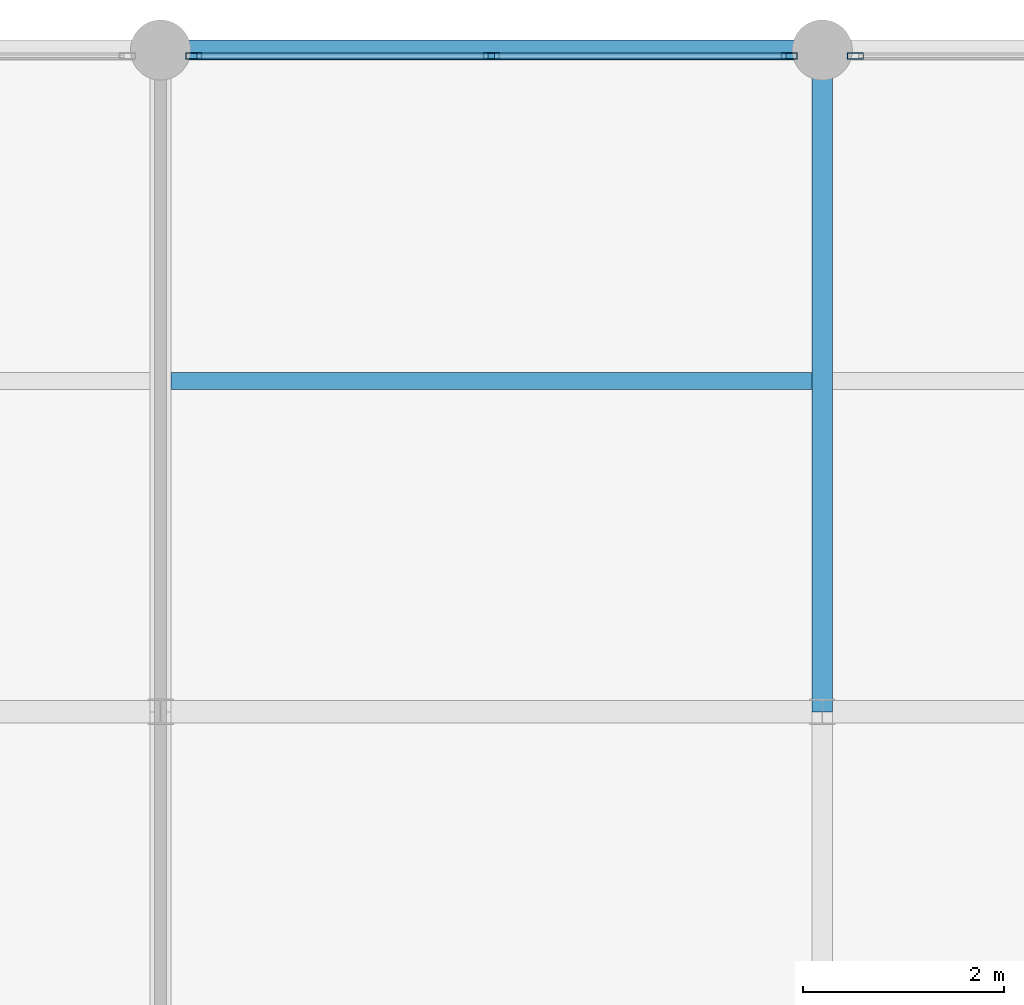
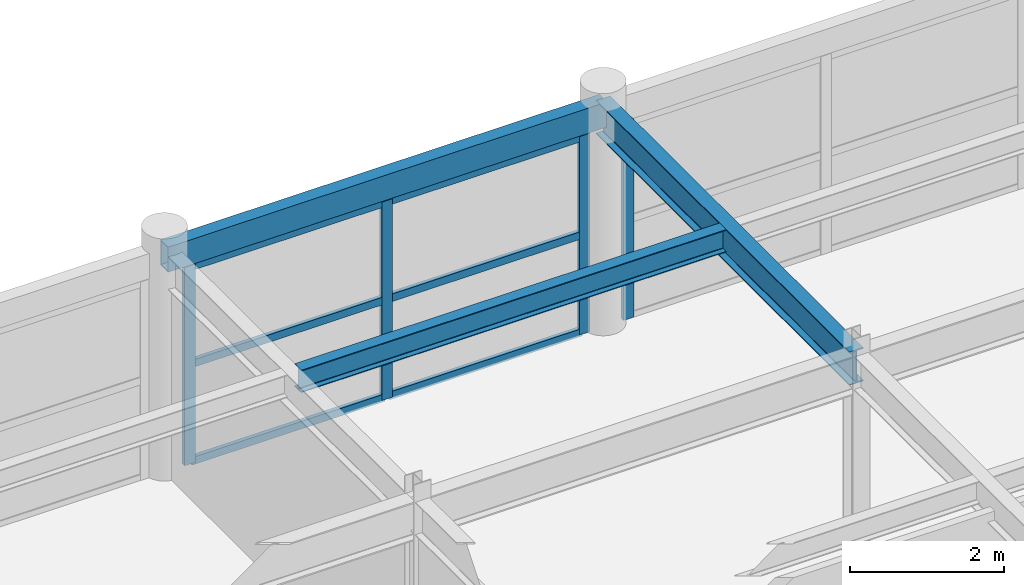
# One storey, part 7 of 17: 10 members, 3 beams, 2 elements without a shape of their own.
"""IFC4 building model written with IfcOpenShell, lengths in metres."""

from ifc_helpers import new_model, si_unit, direction, frame, origin, origin_2d, place, context, subcontext, project, spatial, hollow_rectangle, i_section, extrude, material, material_profile, profile_set, type_object, element, aggregate, save


model = new_model("IFC4")

# Units and contexts
model_context = context("Model", 3, precision=1e-05, world=origin(), true_north=direction((0.0, 1.0)))
body_context = subcontext(model_context, "Body", "Model", "MODEL_VIEW")
ifc_project = project(units=[si_unit("LENGTHUNIT", "METRE"), si_unit("AREAUNIT", "SQUARE_METRE"), si_unit("VOLUMEUNIT", "CUBIC_METRE"), si_unit("PLANEANGLEUNIT", "RADIAN"), si_unit("MASSUNIT", "GRAM", prefix="KILO")], contexts=[model_context])

# Site, building, storey
site_placement = place(None, origin())
site = spatial("IfcSite", under=ifc_project, at=site_placement, CompositionType="ELEMENT")
building_placement = place(site_placement, origin())
building = spatial("IfcBuilding", under=site, at=building_placement, Name="Karori Crest Natural Sciences Institute", CompositionType="ELEMENT")
storey_placement = place(building_placement, frame((0.0, 0.0, 38.14990234375)))
storey = spatial("IfcBuildingStorey", under=building, at=storey_placement, Name="L09", CompositionType="ELEMENT", Elevation=38.14990234375)

# Beams
ifc_material_1 = material(Name="Structural steel AS/NZS 3679.1 Grade 350", Category="steel")
ifc_material_profile_1 = material_profile(ifc_material_1, i_section(OverallWidth=0.208984375, OverallDepth=0.532958984375, WebThickness=0.01025390625, FlangeThickness=0.015625, FilletRadius=0.013916015625, at=origin_2d()), Name="530UB92.4")
ifc_profile_set_1 = profile_set([ifc_material_profile_1], Name="Structural steel AS/NZS 3679.1 Grade 350")
beam_type_1 = type_object("IfcBeamType", Name="BT-05", PredefinedType="BEAM", material=ifc_profile_set_1)
beam_1_placement = place(storey_placement, frame((130.0, 14.0, 3.3037109375), z_axis=(0.0, 1.0, 0.0), x_axis=(-1.0, 0.0, 0.0)))
element("IfcBeam", 1, at=beam_1_placement, inside=storey, type_object=beam_type_1, Name="Beam B-2802", PredefinedType="BEAM", context=body_context, shape_type="SweptSolid", body=[
    extrude(i_section(OverallWidth=0.208984375, OverallDepth=0.532958984375, WebThickness=0.01025390625, FlangeThickness=0.015625, FilletRadius=0.013916015625, at=origin_2d()), origin(), (0.0, 0.0, 1.0), 6.60009765625),
])
ifc_material_profile_2 = material_profile(ifc_material_1, i_section(OverallWidth=0.172119140625, OverallDepth=0.35888671875, WebThickness=0.008056640625, FlangeThickness=0.012939453125, FilletRadius=0.010986328125, at=origin_2d()), Name="360UB56.7")
ifc_profile_set_2 = profile_set([ifc_material_profile_2], Name="Structural steel AS/NZS 3679.1 Grade 350")
beam_type_2 = type_object("IfcBeamType", Name="BT-08", PredefinedType="BEAM", material=ifc_profile_set_2)
beam_2_placement = place(storey_placement, frame((123.50439453125, 17.300048828125, 3.390625), z_axis=(1.0, 0.0, 0.0), x_axis=(0.0, 1.0, 0.0)))
element("IfcBeam", 2, at=beam_2_placement, inside=storey, type_object=beam_type_2, Name="Beam B-2820", PredefinedType="BEAM", context=body_context, shape_type="SweptSolid", body=[
    extrude(i_section(OverallWidth=0.172119140625, OverallDepth=0.35888671875, WebThickness=0.008056640625, FlangeThickness=0.012939453125, FilletRadius=0.010986328125, at=origin_2d()), origin(), (0.0, 0.0, 1.0), 6.39111328125),
])
ifc_material_2 = material(Name="Hollow structural steel AS/NZS 1163 Grade C350", Category="steel")
ifc_material_profile_3 = material_profile(ifc_material_2, hollow_rectangle(XDim=0.199951171875, YDim=0.39990234375, WallThickness=0.012451171875, at=origin_2d()), Name="RHS400x200x12.5")
ifc_profile_set_3 = profile_set([ifc_material_profile_3], Name="Hollow structural steel AS/NZS 1163 Grade C350")
beam_type_3 = type_object("IfcBeamType", Name="BT-14", PredefinedType="SPANDREL", material=ifc_profile_set_3)
beam_3_placement = place(storey_placement, frame((123.39990234375, 20.60009765625, 3.3701171875), z_axis=(1.0, 0.0, 0.0), x_axis=(0.0, 1.0, 0.0)))
element("IfcBeam", 3, at=beam_3_placement, inside=storey, type_object=beam_type_3, Name="Beam B-2784", PredefinedType="SPANDREL", context=body_context, shape_type="SweptSolid", body=[
    extrude(hollow_rectangle(XDim=0.199951171875, YDim=0.39990234375, WallThickness=0.012451171875, at=origin_2d()), origin(), (0.0, 0.0, 1.0), 6.60009765625),
])

# Curtain wall, members
ifc_material_3 = material(Name="Anodised architectural aluminium 6063-T6", Category="aluminium")
curtain_wall_type = type_object("IfcCurtainWallType", Name="CWT-20", PredefinedType="NOTDEFINED", material=ifc_material_3)
curtain_wall_1_placement = place(storey_placement, origin())
curtain_wall_1 = element("IfcCurtainWall", 4, at=curtain_wall_1_placement, inside=storey, type_object=curtain_wall_type, Name="Curtain wall CW-0375", PredefinedType="NOTDEFINED")
ifc_material_profile_4 = material_profile(ifc_material_3, hollow_rectangle(XDim=0.06494140625, YDim=0.159912109375, WallThickness=0.00390625, at=origin_2d()), Name="CWM160x65x4")
ifc_profile_set_4 = profile_set([ifc_material_profile_4], Name="Anodised architectural aluminium 6063-T6")
member_type_1 = type_object("IfcMemberType", Name="CWM-01", PredefinedType="MULLION", material=ifc_profile_set_4)
member_1_placement = place(storey_placement, frame((123.73046875, 20.5400390625, 0.0), z_axis=(0.0, 0.0, 1.0), x_axis=(0.0, 1.0, 0.0)))
member_1 = element("IfcMember", 5, at=member_1_placement, type_object=member_type_1, Name="CW-0375 mullion 1", PredefinedType="MULLION", context=body_context, shape_type="SweptSolid", body=[
    extrude(hollow_rectangle(XDim=0.06494140625, YDim=0.159912109375, WallThickness=0.00390625, at=origin_2d()), origin(), (0.0, 0.0, 1.0), 3.155029296875),
])
member_2_placement = place(storey_placement, frame((126.699951171875, 20.5400390625, 0.0), z_axis=(0.0, 0.0, 1.0), x_axis=(0.0, 1.0, 0.0)))
member_2 = element("IfcMember", 6, at=member_2_placement, type_object=member_type_1, Name="CW-0375 mullion 2", PredefinedType="MULLION", context=body_context, shape_type="SweptSolid", body=[
    extrude(hollow_rectangle(XDim=0.06494140625, YDim=0.159912109375, WallThickness=0.00390625, at=origin_2d()), origin(), (0.0, 0.0, 1.0), 3.155029296875),
])
member_3_placement = place(storey_placement, frame((129.66943359375, 20.5400390625, 0.0), z_axis=(0.0, 0.0, 1.0), x_axis=(0.0, 1.0, 0.0)))
member_3 = element("IfcMember", 7, at=member_3_placement, type_object=member_type_1, Name="CW-0375 mullion 3", PredefinedType="MULLION", context=body_context, shape_type="SweptSolid", body=[
    extrude(hollow_rectangle(XDim=0.06494140625, YDim=0.159912109375, WallThickness=0.00390625, at=origin_2d()), origin(), (0.0, 0.0, 1.0), 3.155029296875),
])

# Curtain wall, member
curtain_wall_2_placement = place(storey_placement, origin())
curtain_wall_2 = element("IfcCurtainWall", 8, at=curtain_wall_2_placement, inside=storey, type_object=curtain_wall_type, Name="Curtain wall CW-0376", PredefinedType="NOTDEFINED")
member_4_placement = place(storey_placement, frame((130.33056640625, 20.5400390625, 0.0), z_axis=(0.0, 0.0, 1.0), x_axis=(0.0, 1.0, 0.0)))
member_4 = element("IfcMember", 9, at=member_4_placement, type_object=member_type_1, Name="CW-0376 mullion 1", PredefinedType="MULLION", context=body_context, shape_type="SweptSolid", body=[
    extrude(hollow_rectangle(XDim=0.06494140625, YDim=0.159912109375, WallThickness=0.00390625, at=origin_2d()), origin(), (0.0, 0.0, 1.0), 3.155029296875),
])
aggregate(curtain_wall_2, [member_4])

# Member
ifc_material_profile_5 = material_profile(ifc_material_3, hollow_rectangle(XDim=0.06005859375, YDim=0.1201171875, WallThickness=0.00390625, at=origin_2d()), Name="CWT120x60x4")
ifc_profile_set_5 = profile_set([ifc_material_profile_5], Name="Anodised architectural aluminium 6063-T6")
member_type_2 = type_object("IfcMemberType", Name="CWT-TR1", PredefinedType="USERDEFINED", material=ifc_profile_set_5)
member_5_placement = place(storey_placement, frame((123.762939453125, 20.5400390625, 0.030029296875), z_axis=(1.0, 0.0, 0.0), x_axis=(0.0, 1.0, 0.0)))
member_5 = element("IfcMember", 10, at=member_5_placement, type_object=member_type_2, Name="CW-0375 transom 1.1", ObjectType="TRANSOM", PredefinedType="USERDEFINED", context=body_context, shape_type="SweptSolid", body=[
    extrude(hollow_rectangle(XDim=0.06005859375, YDim=0.1201171875, WallThickness=0.00390625, at=origin_2d()), origin(), (0.0, 0.0, 1.0), 2.904541015625),
])

member_6_placement = place(storey_placement, frame((123.762939453125, 20.5400390625, 1.57763671875), z_axis=(1.0, 0.0, 0.0), x_axis=(0.0, 1.0, 0.0)))
member_6 = element("IfcMember", 11, at=member_6_placement, type_object=member_type_2, Name="CW-0375 transom 1.2", ObjectType="TRANSOM", PredefinedType="USERDEFINED", context=body_context, shape_type="SweptSolid", body=[
    extrude(hollow_rectangle(XDim=0.06005859375, YDim=0.1201171875, WallThickness=0.00390625, at=origin_2d()), origin(), (0.0, 0.0, 1.0), 2.904541015625),
])

member_7_placement = place(storey_placement, frame((123.762939453125, 20.5400390625, 3.125), z_axis=(1.0, 0.0, 0.0), x_axis=(0.0, 1.0, 0.0)))
member_7 = element("IfcMember", 12, at=member_7_placement, type_object=member_type_2, Name="CW-0375 transom 1.3", ObjectType="TRANSOM", PredefinedType="USERDEFINED", context=body_context, shape_type="SweptSolid", body=[
    extrude(hollow_rectangle(XDim=0.06005859375, YDim=0.1201171875, WallThickness=0.00390625, at=origin_2d()), origin(), (0.0, 0.0, 1.0), 2.904541015625),
])

member_8_placement = place(storey_placement, frame((126.732421875, 20.5400390625, 0.030029296875), z_axis=(1.0, 0.0, 0.0), x_axis=(0.0, 1.0, 0.0)))
member_8 = element("IfcMember", 13, at=member_8_placement, type_object=member_type_2, Name="CW-0375 transom 2.1", ObjectType="TRANSOM", PredefinedType="USERDEFINED", context=body_context, shape_type="SweptSolid", body=[
    extrude(hollow_rectangle(XDim=0.06005859375, YDim=0.1201171875, WallThickness=0.00390625, at=origin_2d()), origin(), (0.0, 0.0, 1.0), 2.904541015625),
])

member_9_placement = place(storey_placement, frame((126.732421875, 20.5400390625, 1.57763671875), z_axis=(1.0, 0.0, 0.0), x_axis=(0.0, 1.0, 0.0)))
member_9 = element("IfcMember", 14, at=member_9_placement, type_object=member_type_2, Name="CW-0375 transom 2.2", ObjectType="TRANSOM", PredefinedType="USERDEFINED", context=body_context, shape_type="SweptSolid", body=[
    extrude(hollow_rectangle(XDim=0.06005859375, YDim=0.1201171875, WallThickness=0.00390625, at=origin_2d()), origin(), (0.0, 0.0, 1.0), 2.904541015625),
])

member_10_placement = place(storey_placement, frame((126.732421875, 20.5400390625, 3.125), z_axis=(1.0, 0.0, 0.0), x_axis=(0.0, 1.0, 0.0)))
member_10 = element("IfcMember", 15, at=member_10_placement, type_object=member_type_2, Name="CW-0375 transom 2.3", ObjectType="TRANSOM", PredefinedType="USERDEFINED", context=body_context, shape_type="SweptSolid", body=[
    extrude(hollow_rectangle(XDim=0.06005859375, YDim=0.1201171875, WallThickness=0.00390625, at=origin_2d()), origin(), (0.0, 0.0, 1.0), 2.904541015625),
])

aggregate(curtain_wall_1, [member_1, member_2, member_3, member_5, member_6, member_7, member_8, member_9, member_10])

save(model, "model.ifc")
